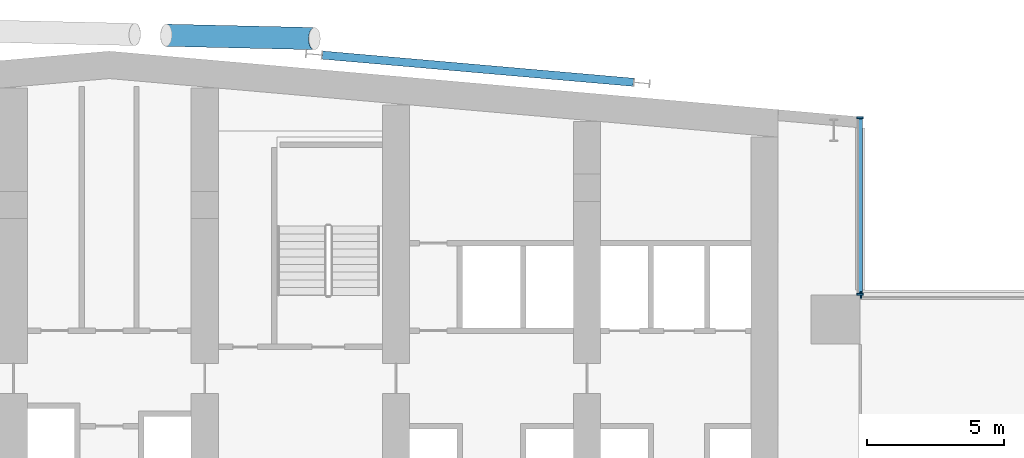
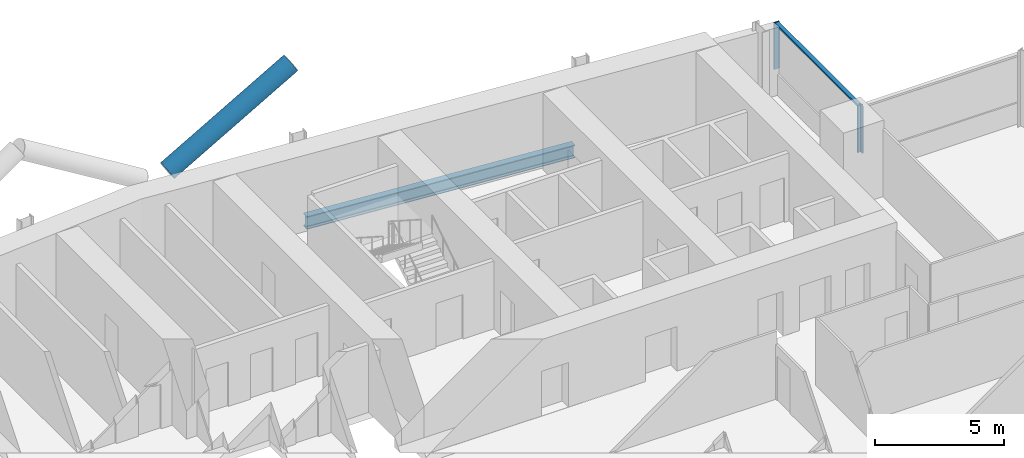
# One storey, part 9 of 27: 5 members, 1 beam, 2 elements without a shape of their own.
"""IFC4 building model written with IfcOpenShell, lengths in metres."""

from ifc_helpers import new_model, si_unit, direction, frame, origin, origin_2d, place, context, subcontext, project, spatial, rectangle, hollow_circle, i_section, extrude, material, material_profile, profile_set, type_object, element, aggregate, save


model = new_model("IFC4")

# Units and contexts
model_context = context("Model", 3, precision=1e-05, world=origin(), true_north=direction((0.0, 1.0)))
body_context = subcontext(model_context, "Body", "Model", "MODEL_VIEW")
ifc_project = project(units=[si_unit("LENGTHUNIT", "METRE"), si_unit("AREAUNIT", "SQUARE_METRE"), si_unit("VOLUMEUNIT", "CUBIC_METRE"), si_unit("PLANEANGLEUNIT", "RADIAN"), si_unit("MASSUNIT", "GRAM", prefix="KILO")], contexts=[model_context])

# Site, building, storey
site_placement = place(None, origin())
site = spatial("IfcSite", under=ifc_project, at=site_placement, CompositionType="ELEMENT")
building_placement = place(site_placement, origin())
building = spatial("IfcBuilding", under=site, at=building_placement, Name="Wharfspan Tower", CompositionType="ELEMENT")
storey_placement = place(building_placement, frame((0.0, 0.0, 118.300049)))
storey = spatial("IfcBuildingStorey", under=building, at=storey_placement, Name="L27", CompositionType="ELEMENT", Elevation=118.300049)

# Beam
ifc_material_1 = material(Name="Steel S355J2", Category="steel")
ifc_material_profile_1 = material_profile(ifc_material_1, i_section(OverallWidth=0.300049, OverallDepth=0.600098, WebThickness=0.015381, FlangeThickness=0.030029, FilletRadius=0.0271, at=origin_2d()))
ifc_profile_set_1 = profile_set([ifc_material_profile_1], Name="Steel S355J2")
beam_type = type_object("IfcBeamType", Name="Edge beam HEB 600", PredefinedType="SPANDREL", material=ifc_profile_set_1)
beam_placement = place(storey_placement, frame((59.695068, 49.791504, -0.699951), z_axis=(-0.996194, 0.087162, 0.0), x_axis=(-0.087162, -0.996194, 0.0)))
element("IfcBeam", 1, at=beam_placement, inside=storey, type_object=beam_type, Name="Edge beam N2 L27 R.4 to R.3", PredefinedType="SPANDREL", context=body_context, shape_type="SweptSolid", body=[
    extrude(i_section(OverallWidth=0.300049, OverallDepth=0.600098, WebThickness=0.015381, FlangeThickness=0.030029, FilletRadius=0.0271, at=origin_2d()), origin(), (0.0, 0.0, 1.0), 11.433594),
])

# Curtain wall, member
ifc_material_2 = material(Name="Aluminium 6063-T6", Category="aluminium")
curtain_wall_type = type_object("IfcCurtainWallType", Name="CURTAIN WALL PROW AND END", PredefinedType="NOTDEFINED", material=ifc_material_2)
curtain_wall_1_placement = place(storey_placement, origin())
curtain_wall_1 = element("IfcCurtainWall", 2, at=curtain_wall_1_placement, inside=storey, type_object=curtain_wall_type, Name="Curtain wall NRE-H", PredefinedType="NOTDEFINED")
ifc_material_profile_2 = material_profile(ifc_material_2, rectangle(XDim=0.23999, YDim=0.060059, at=origin_2d()))
ifc_profile_set_2 = profile_set([ifc_material_profile_2], Name="Aluminium 6063-T6")
member_type_1 = type_object("IfcMemberType", Name="MULLION PROW AND END 60x240", PredefinedType="MULLION", material=ifc_profile_set_2)
member_1_placement = place(storey_placement, frame((68.030029, 42.0, 1.0), z_axis=(0.0, 0.0, 1.0), x_axis=(0.0, -1.0, 0.0)))
member_1 = element("IfcMember", 3, at=member_1_placement, type_object=member_type_1, Name="Curtain wall NRE-H mullion 2", PredefinedType="MULLION", context=body_context, shape_type="SweptSolid", body=[
    extrude(rectangle(XDim=0.23999, YDim=0.060059, at=origin_2d()), origin(), (0.0, 0.0, 1.0), 2.199951),
])
aggregate(curtain_wall_1, [member_1])

# Curtain wall, members
curtain_wall_2_placement = place(storey_placement, origin())
curtain_wall_2 = element("IfcCurtainWall", 4, at=curtain_wall_2_placement, inside=storey, type_object=curtain_wall_type, Name="Curtain wall NRE-V", PredefinedType="NOTDEFINED")
member_2_placement = place(storey_placement, frame((68.0, 42.030029, 1.0), z_axis=(0.0, 0.0, 1.0), x_axis=(-1.0, 0.0, 0.0)))
member_2 = element("IfcMember", 5, at=member_2_placement, type_object=member_type_1, Name="Curtain wall NRE-V mullion 1", PredefinedType="MULLION", context=body_context, shape_type="SweptSolid", body=[
    extrude(rectangle(XDim=0.23999, YDim=0.060059, at=origin_2d()), origin(), (0.0, 0.0, 1.0), 2.199951),
])
member_3_placement = place(storey_placement, frame((68.0, 48.494873, 1.0), z_axis=(0.0, 0.0, 1.0), x_axis=(-1.0, 0.0, 0.0)))
member_3 = element("IfcMember", 6, at=member_3_placement, type_object=member_type_1, Name="Curtain wall NRE-V mullion 2", PredefinedType="MULLION", context=body_context, shape_type="SweptSolid", body=[
    extrude(rectangle(XDim=0.23999, YDim=0.060059, at=origin_2d()), origin(), (0.0, 0.0, 1.0), 2.199951),
])

# Member
ifc_material_3 = material(Name="Steel S460NH", Category="steel")
ifc_material_profile_3 = material_profile(ifc_material_3, hollow_circle(Radius=0.406494, WallThickness=0.040039, at=origin_2d()))
ifc_profile_set_3 = profile_set([ifc_material_profile_3], Name="Steel S460NH")
member_type_2 = type_object("IfcMemberType", Name="Mega brace CHS 813x40", PredefinedType="BRACE", material=ifc_profile_set_3)
member_4_placement = place(storey_placement, frame((42.590332, 51.514893, 3.246582), z_axis=(0.857327, -0.019686, 0.514396), x_axis=(0.022956, 0.999736, 0.0)))
element("IfcMember", 7, at=member_4_placement, inside=storey, type_object=member_type_2, Name="Mega brace N7 L27 part 2", PredefinedType="BRACE", context=body_context, shape_type="SweptSolid", body=[
    extrude(hollow_circle(Radius=0.406494, WallThickness=0.040039, at=origin_2d()), origin(), (0.0, 0.0, 1.0), 6.324707),
])

ifc_material_profile_4 = material_profile(ifc_material_2, rectangle(XDim=0.179932, YDim=0.080078, at=origin_2d()))
ifc_profile_set_4 = profile_set([ifc_material_profile_4], Name="Aluminium 6063-T6")
member_type_3 = type_object("IfcMemberType", Name="TRANSOM PROW AND END 80x180", PredefinedType="USERDEFINED", material=ifc_profile_set_4)
member_5_placement = place(storey_placement, frame((68.0, 42.060059, 3.159912), z_axis=(0.0, 1.0, 0.0), x_axis=(-1.0, 0.0, 0.0)))
member_5 = element("IfcMember", 8, at=member_5_placement, type_object=member_type_3, Name="Curtain wall NRE-V transom 1", ObjectType="TRANSOM", PredefinedType="USERDEFINED", context=body_context, shape_type="SweptSolid", body=[
    extrude(rectangle(XDim=0.179932, YDim=0.080078, at=origin_2d()), origin(), (0.0, 0.0, 1.0), 6.404785),
])

aggregate(curtain_wall_2, [member_2, member_3, member_5])

save(model, "model.ifc")
